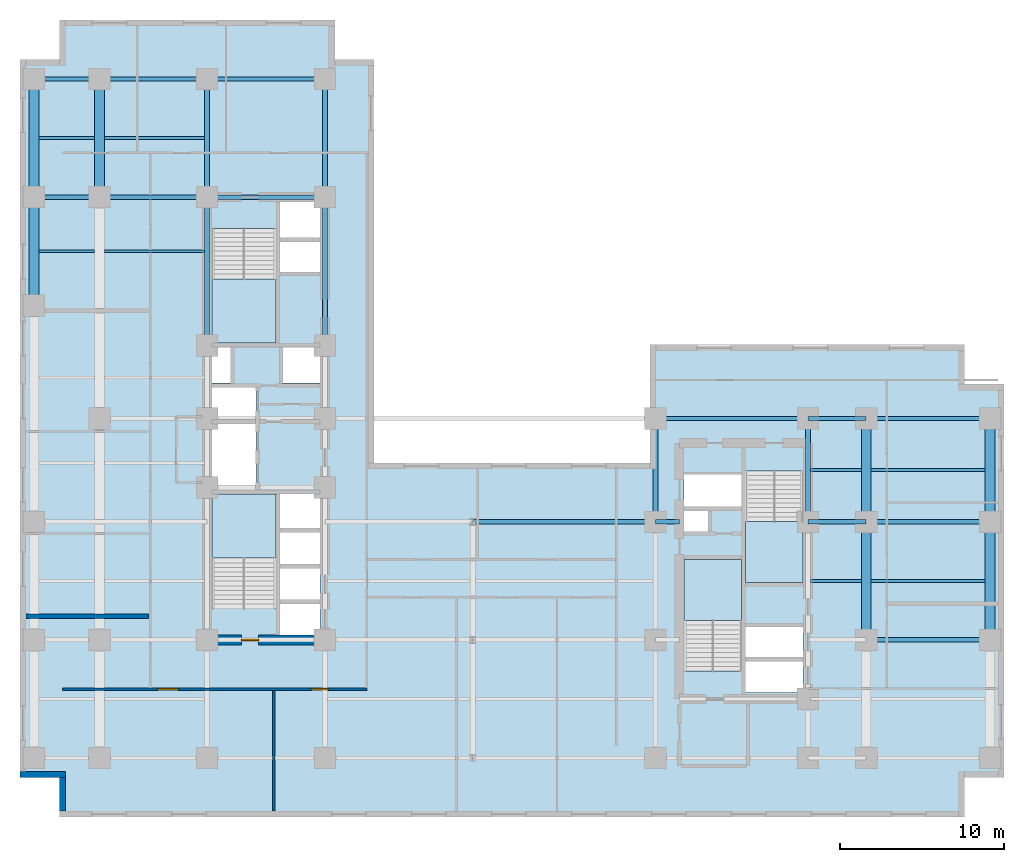
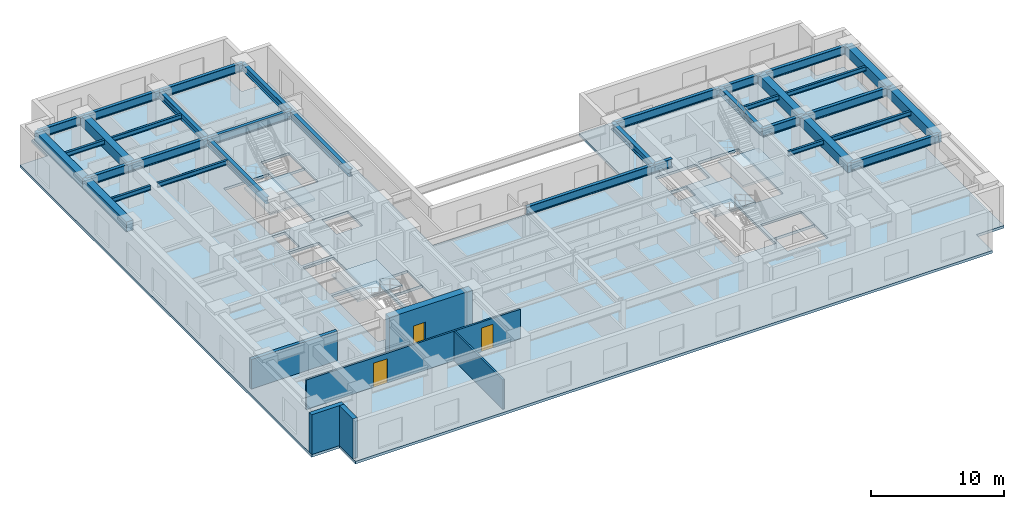
# One storey, part 2 of 9: 35 beams, 6 walls, 5 slabs, 3 doors, 3 openings, 4 elements without a shape of their own.
"""IFC4 building model written with IfcOpenShell, lengths in metres."""

from ifc_helpers import new_model, entity, si_unit, converted_unit, direction, frame, origin_with_axes, origin_2d_with_axis, place, context, subcontext, project, spatial, polyline, rectangle, i_section, outline, extrude, material, layer, layer_set, material_profile, profile_set, type_object, element, fill, aggregate, save


model = new_model("IFC4")

# Units and contexts
model_context = context("Model", 3, precision=1e-05, world=origin_with_axes(), true_north=direction((0.0, 1.0)))
body_context = subcontext(model_context, "Body", "Model", "MODEL_VIEW")
ifc_project = project(units=[si_unit("LENGTHUNIT", "METRE"), si_unit("AREAUNIT", "SQUARE_METRE"), si_unit("VOLUMEUNIT", "CUBIC_METRE"), converted_unit("PLANEANGLEUNIT", "DEGREE", entity("IfcPlaneAngleMeasure", 0.017453292519943295), si_unit("PLANEANGLEUNIT", "RADIAN"), dimensions=[0, 0, 0, 0, 0, 0, 0]), si_unit("MASSUNIT", "GRAM", prefix="KILO"), si_unit("THERMODYNAMICTEMPERATUREUNIT", "KELVIN")], contexts=[model_context])

# Site, building, storey
site_placement = place(None, origin_with_axes())
site = spatial("IfcSite", under=ifc_project, at=site_placement, CompositionType="ELEMENT")
building_placement = place(site_placement, origin_with_axes())
building = spatial("IfcBuilding", under=site, at=building_placement, Name="Varnlund Millrace Tower", CompositionType="ELEMENT")
storey_placement = place(building_placement, frame((0.0, 0.0, 52.2), z_axis=(0.0, 0.0, 1.0), x_axis=(1.0, 0.0, 0.0)))
storey = spatial("IfcBuildingStorey", under=building, at=storey_placement, Name="L12", CompositionType="ELEMENT", Elevation=52.2)

# Beams
ifc_material_1 = material(Name="Steel ASTM A992 Grade 50", Category="steel")
ifc_material_profile_1 = material_profile(ifc_material_1, i_section(OverallWidth=0.328, OverallDepth=0.628, WebThickness=0.0165, FlangeThickness=0.0277, FilletRadius=0.018, at=origin_2d_with_axis()), Name="Steel ASTM A992 Grade 50")
ifc_profile_set_1 = profile_set([ifc_material_profile_1], Name="Steel ASTM A992 Grade 50")
beam_type_1 = type_object("IfcBeamType", Name="Type-Girder-W24X146", PredefinedType="USERDEFINED", material=ifc_profile_set_1)
beam_1_placement = place(storey_placement, frame((11.4, 28.75, 3.346), z_axis=(0.0, 1.0, 0.0), x_axis=(-1.0, 0.0, 0.0)))
element("IfcBeam", 1, at=beam_1_placement, inside=storey, type_object=beam_type_1, Name="Type-Girder-W24X146", ObjectType="GIRDER", PredefinedType="USERDEFINED", context=body_context, shape_type="SweptSolid", body=[
    extrude(i_section(OverallWidth=0.328, OverallDepth=0.628, WebThickness=0.0165, FlangeThickness=0.0277, FilletRadius=0.018, at=origin_2d_with_axis()), origin_with_axes(), (0.0, 0.0, 1.0), 9.05),
])
beam_2_placement = place(storey_placement, frame((11.4, 37.8, 3.346), z_axis=(0.0, 1.0, 0.0), x_axis=(-1.0, 0.0, 0.0)))
element("IfcBeam", 2, at=beam_2_placement, inside=storey, type_object=beam_type_1, Name="Type-Girder-W24X146", ObjectType="GIRDER", PredefinedType="USERDEFINED", context=body_context, shape_type="SweptSolid", body=[
    extrude(i_section(OverallWidth=0.328, OverallDepth=0.628, WebThickness=0.0165, FlangeThickness=0.0277, FilletRadius=0.018, at=origin_2d_with_axis()), origin_with_axes(), (0.0, 0.0, 1.0), 7.2),
])
beam_3_placement = place(storey_placement, frame((18.6, 28.75, 3.346), z_axis=(0.0, 1.0, 0.0), x_axis=(-1.0, 0.0, 0.0)))
element("IfcBeam", 3, at=beam_3_placement, inside=storey, type_object=beam_type_1, Name="Type-Girder-W24X146", ObjectType="GIRDER", PredefinedType="USERDEFINED", context=body_context, shape_type="SweptSolid", body=[
    extrude(i_section(OverallWidth=0.328, OverallDepth=0.628, WebThickness=0.0165, FlangeThickness=0.0277, FilletRadius=0.018, at=origin_2d_with_axis()), origin_with_axes(), (0.0, 0.0, 1.0), 9.05),
])
beam_4_placement = place(storey_placement, frame((18.6, 37.8, 3.346), z_axis=(0.0, 1.0, 0.0), x_axis=(-1.0, 0.0, 0.0)))
element("IfcBeam", 4, at=beam_4_placement, inside=storey, type_object=beam_type_1, Name="Type-Girder-W24X146", ObjectType="GIRDER", PredefinedType="USERDEFINED", context=body_context, shape_type="SweptSolid", body=[
    extrude(i_section(OverallWidth=0.328, OverallDepth=0.628, WebThickness=0.0165, FlangeThickness=0.0277, FilletRadius=0.018, at=origin_2d_with_axis()), origin_with_axes(), (0.0, 0.0, 1.0), 7.2),
])
for number, where, z_axis, x_axis, name in (
    (5, (38.75, 18.0, 3.346), (0.0, 1.0, 0.0), (-1.0, 0.0, 0.0), "Type-Girder-W24X146"),
    (6, (48.05, 18.0, 3.346), (0.0, 1.0, 0.0), (-1.0, 0.0, 0.0), "Type-Girder-W24X146"),
):
    element("IfcBeam", number, at=place(storey_placement, frame(where, z_axis=z_axis, x_axis=x_axis)), inside=storey, type_object=beam_type_1, Name=name, ObjectType="GIRDER", PredefinedType="USERDEFINED", context=body_context, shape_type="SweptSolid", body=[
        extrude(i_section(OverallWidth=0.328, OverallDepth=0.628, WebThickness=0.0165, FlangeThickness=0.0277, FilletRadius=0.018, at=origin_2d_with_axis()), origin_with_axes(), (0.0, 0.0, 1.0), 6.3),
    ])
ifc_material_profile_2 = material_profile(ifc_material_1, i_section(OverallWidth=0.266, OverallDepth=0.779, WebThickness=0.0165, FlangeThickness=0.03, FilletRadius=0.02, at=origin_2d_with_axis()), Name="Steel ASTM A992 Grade 50")
ifc_profile_set_2 = profile_set([ifc_material_profile_2], Name="Steel ASTM A992 Grade 50")
beam_type_2 = type_object("IfcBeamType", Name="Type-Girder-W30X148", PredefinedType="USERDEFINED", material=ifc_profile_set_2)
beam_5_placement = place(storey_placement, frame((51.6, 10.8, 3.2705), z_axis=(1.0, 0.0, 0.0), x_axis=(0.0, 1.0, 0.0)))
element("IfcBeam", 7, at=beam_5_placement, inside=storey, type_object=beam_type_2, Name="Type-Girder-W30X148", ObjectType="GIRDER", PredefinedType="USERDEFINED", context=body_context, shape_type="SweptSolid", body=[
    extrude(i_section(OverallWidth=0.266, OverallDepth=0.779, WebThickness=0.0165, FlangeThickness=0.03, FilletRadius=0.02, at=origin_2d_with_axis()), origin_with_axes(), (0.0, 0.0, 1.0), 7.55),
])
beam_6_placement = place(storey_placement, frame((27.6, 18.0, 3.2705), z_axis=(1.0, 0.0, 0.0), x_axis=(0.0, 1.0, 0.0)))
element("IfcBeam", 8, at=beam_6_placement, inside=storey, type_object=beam_type_2, Name="Type-Girder-W30X148", ObjectType="GIRDER", PredefinedType="USERDEFINED", context=body_context, shape_type="SweptSolid", body=[
    extrude(i_section(OverallWidth=0.266, OverallDepth=0.779, WebThickness=0.0165, FlangeThickness=0.03, FilletRadius=0.02, at=origin_2d_with_axis()), origin_with_axes(), (0.0, 0.0, 1.0), 11.15),
])
beam_7_placement = place(storey_placement, frame((38.75, 18.0, 3.2705), z_axis=(1.0, 0.0, 0.0), x_axis=(0.0, 1.0, 0.0)))
element("IfcBeam", 9, at=beam_7_placement, inside=storey, type_object=beam_type_2, Name="Type-Girder-W30X148", ObjectType="GIRDER", PredefinedType="USERDEFINED", context=body_context, shape_type="SweptSolid", body=[
    extrude(i_section(OverallWidth=0.266, OverallDepth=0.779, WebThickness=0.0165, FlangeThickness=0.03, FilletRadius=0.02, at=origin_2d_with_axis()), origin_with_axes(), (0.0, 0.0, 1.0), 1.45),
])
beam_8_placement = place(storey_placement, frame((48.05, 18.0, 3.2705), z_axis=(1.0, 0.0, 0.0), x_axis=(0.0, 1.0, 0.0)))
element("IfcBeam", 10, at=beam_8_placement, inside=storey, type_object=beam_type_2, Name="Type-Girder-W30X148", ObjectType="GIRDER", PredefinedType="USERDEFINED", context=body_context, shape_type="SweptSolid", body=[
    extrude(i_section(OverallWidth=0.266, OverallDepth=0.779, WebThickness=0.0165, FlangeThickness=0.03, FilletRadius=0.02, at=origin_2d_with_axis()), origin_with_axes(), (0.0, 0.0, 1.0), 3.55),
])
beam_9_placement = place(storey_placement, frame((51.6, 18.0, 3.2705), z_axis=(1.0, 0.0, 0.0), x_axis=(0.0, 1.0, 0.0)))
element("IfcBeam", 11, at=beam_9_placement, inside=storey, type_object=beam_type_2, Name="Type-Girder-W30X148", ObjectType="GIRDER", PredefinedType="USERDEFINED", context=body_context, shape_type="SweptSolid", body=[
    extrude(i_section(OverallWidth=0.266, OverallDepth=0.779, WebThickness=0.0165, FlangeThickness=0.03, FilletRadius=0.02, at=origin_2d_with_axis()), origin_with_axes(), (0.0, 0.0, 1.0), 7.55),
])
beam_10_placement = place(storey_placement, frame((38.75, 24.3, 3.2705), z_axis=(1.0, 0.0, 0.0), x_axis=(0.0, 1.0, 0.0)))
element("IfcBeam", 12, at=beam_10_placement, inside=storey, type_object=beam_type_2, Name="Type-Girder-W30X148", ObjectType="GIRDER", PredefinedType="USERDEFINED", context=body_context, shape_type="SweptSolid", body=[
    extrude(i_section(OverallWidth=0.266, OverallDepth=0.779, WebThickness=0.0165, FlangeThickness=0.03, FilletRadius=0.02, at=origin_2d_with_axis()), origin_with_axes(), (0.0, 0.0, 1.0), 9.3),
])
beam_11_placement = place(storey_placement, frame((48.05, 24.3, 3.2705), z_axis=(1.0, 0.0, 0.0), x_axis=(0.0, 1.0, 0.0)))
element("IfcBeam", 13, at=beam_11_placement, inside=storey, type_object=beam_type_2, Name="Type-Girder-W30X148", ObjectType="GIRDER", PredefinedType="USERDEFINED", context=body_context, shape_type="SweptSolid", body=[
    extrude(i_section(OverallWidth=0.266, OverallDepth=0.779, WebThickness=0.0165, FlangeThickness=0.03, FilletRadius=0.02, at=origin_2d_with_axis()), origin_with_axes(), (0.0, 0.0, 1.0), 3.55),
])
beam_12_placement = place(storey_placement, frame((51.6, 24.3, 3.2705), z_axis=(1.0, 0.0, 0.0), x_axis=(0.0, 1.0, 0.0)))
element("IfcBeam", 14, at=beam_12_placement, inside=storey, type_object=beam_type_2, Name="Type-Girder-W30X148", ObjectType="GIRDER", PredefinedType="USERDEFINED", context=body_context, shape_type="SweptSolid", body=[
    extrude(i_section(OverallWidth=0.266, OverallDepth=0.779, WebThickness=0.0165, FlangeThickness=0.03, FilletRadius=0.02, at=origin_2d_with_axis()), origin_with_axes(), (0.0, 0.0, 1.0), 7.55),
])
beam_13_placement = place(storey_placement, frame((0.85, 37.8, 3.2705), z_axis=(1.0, 0.0, 0.0), x_axis=(0.0, 1.0, 0.0)))
element("IfcBeam", 15, at=beam_13_placement, inside=storey, type_object=beam_type_2, Name="Type-Girder-W30X148", ObjectType="GIRDER", PredefinedType="USERDEFINED", context=body_context, shape_type="SweptSolid", body=[
    extrude(i_section(OverallWidth=0.266, OverallDepth=0.779, WebThickness=0.0165, FlangeThickness=0.03, FilletRadius=0.02, at=origin_2d_with_axis()), origin_with_axes(), (0.0, 0.0, 1.0), 4.0),
])
beam_14_placement = place(storey_placement, frame((4.85, 37.8, 3.2705), z_axis=(1.0, 0.0, 0.0), x_axis=(0.0, 1.0, 0.0)))
element("IfcBeam", 16, at=beam_14_placement, inside=storey, type_object=beam_type_2, Name="Type-Girder-W30X148", ObjectType="GIRDER", PredefinedType="USERDEFINED", context=body_context, shape_type="SweptSolid", body=[
    extrude(i_section(OverallWidth=0.266, OverallDepth=0.779, WebThickness=0.0165, FlangeThickness=0.03, FilletRadius=0.02, at=origin_2d_with_axis()), origin_with_axes(), (0.0, 0.0, 1.0), 6.55),
])
beam_15_placement = place(storey_placement, frame((11.4, 37.8, 3.2705), z_axis=(1.0, 0.0, 0.0), x_axis=(0.0, 1.0, 0.0)))
element("IfcBeam", 17, at=beam_15_placement, inside=storey, type_object=beam_type_2, Name="Type-Girder-W30X148", ObjectType="GIRDER", PredefinedType="USERDEFINED", context=body_context, shape_type="SweptSolid", body=[
    extrude(i_section(OverallWidth=0.266, OverallDepth=0.779, WebThickness=0.0165, FlangeThickness=0.03, FilletRadius=0.02, at=origin_2d_with_axis()), origin_with_axes(), (0.0, 0.0, 1.0), 7.2),
])
beam_16_placement = place(storey_placement, frame((0.85, 45.0, 3.2705), z_axis=(1.0, 0.0, 0.0), x_axis=(0.0, 1.0, 0.0)))
element("IfcBeam", 18, at=beam_16_placement, inside=storey, type_object=beam_type_2, Name="Type-Girder-W30X148", ObjectType="GIRDER", PredefinedType="USERDEFINED", context=body_context, shape_type="SweptSolid", body=[
    extrude(i_section(OverallWidth=0.266, OverallDepth=0.779, WebThickness=0.0165, FlangeThickness=0.03, FilletRadius=0.02, at=origin_2d_with_axis()), origin_with_axes(), (0.0, 0.0, 1.0), 4.0),
])
beam_17_placement = place(storey_placement, frame((4.85, 45.0, 3.2705), z_axis=(1.0, 0.0, 0.0), x_axis=(0.0, 1.0, 0.0)))
element("IfcBeam", 19, at=beam_17_placement, inside=storey, type_object=beam_type_2, Name="Type-Girder-W30X148", ObjectType="GIRDER", PredefinedType="USERDEFINED", context=body_context, shape_type="SweptSolid", body=[
    extrude(i_section(OverallWidth=0.266, OverallDepth=0.779, WebThickness=0.0165, FlangeThickness=0.03, FilletRadius=0.02, at=origin_2d_with_axis()), origin_with_axes(), (0.0, 0.0, 1.0), 6.55),
])
beam_18_placement = place(storey_placement, frame((11.4, 45.0, 3.2705), z_axis=(1.0, 0.0, 0.0), x_axis=(0.0, 1.0, 0.0)))
element("IfcBeam", 20, at=beam_18_placement, inside=storey, type_object=beam_type_2, Name="Type-Girder-W30X148", ObjectType="GIRDER", PredefinedType="USERDEFINED", context=body_context, shape_type="SweptSolid", body=[
    extrude(i_section(OverallWidth=0.266, OverallDepth=0.779, WebThickness=0.0165, FlangeThickness=0.03, FilletRadius=0.02, at=origin_2d_with_axis()), origin_with_axes(), (0.0, 0.0, 1.0), 7.2),
])
ifc_material_profile_3 = material_profile(ifc_material_1, i_section(OverallWidth=0.181, OverallDepth=0.417, WebThickness=0.0109, FlangeThickness=0.0182, FilletRadius=0.013, at=origin_2d_with_axis()), Name="Steel ASTM A992 Grade 50")
ifc_profile_set_3 = profile_set([ifc_material_profile_3], Name="Steel ASTM A992 Grade 50")
beam_type_3 = type_object("IfcBeamType", Name="Type-Joist-W16X57", PredefinedType="JOIST", material=ifc_profile_set_3)
for number, where, z_axis, x_axis, name in (
    (21, (1.15, 34.5, 3.4515), (1.0, 0.0, 0.0), (0.0, 1.0, 0.0), "Type-Joist-W16X57"),
    (22, (1.15, 41.4, 3.4515), (1.0, 0.0, 0.0), (0.0, 1.0, 0.0), "Type-Joist-W16X57"),
):
    element("IfcBeam", number, at=place(storey_placement, frame(where, z_axis=z_axis, x_axis=x_axis)), inside=storey, type_object=beam_type_3, Name=name, PredefinedType="JOIST", context=body_context, shape_type="SweptSolid", body=[
        extrude(i_section(OverallWidth=0.181, OverallDepth=0.417, WebThickness=0.0109, FlangeThickness=0.0182, FilletRadius=0.013, at=origin_2d_with_axis()), origin_with_axes(), (0.0, 0.0, 1.0), 3.4),
    ])
for number, where, z_axis, x_axis, name in (
    (23, (5.15, 34.5, 3.4515), (1.0, 0.0, 0.0), (0.0, 1.0, 0.0), "Type-Joist-W16X57"),
    (24, (5.15, 41.4, 3.4515), (1.0, 0.0, 0.0), (0.0, 1.0, 0.0), "Type-Joist-W16X57"),
):
    element("IfcBeam", number, at=place(storey_placement, frame(where, z_axis=z_axis, x_axis=x_axis)), inside=storey, type_object=beam_type_3, Name=name, PredefinedType="JOIST", context=body_context, shape_type="SweptSolid", body=[
        extrude(i_section(OverallWidth=0.181, OverallDepth=0.417, WebThickness=0.0109, FlangeThickness=0.0182, FilletRadius=0.013, at=origin_2d_with_axis()), origin_with_axes(), (0.0, 0.0, 1.0), 6.086),
    ])
for number, where, z_axis, x_axis, name in (
    (25, (48.214, 14.4, 3.4515), (1.0, 0.0, 0.0), (0.0, 1.0, 0.0), "Type-Joist-W16X57"),
    (26, (48.214, 21.15, 3.4515), (1.0, 0.0, 0.0), (0.0, 1.0, 0.0), "Type-Joist-W16X57"),
):
    element("IfcBeam", number, at=place(storey_placement, frame(where, z_axis=z_axis, x_axis=x_axis)), inside=storey, type_object=beam_type_3, Name=name, PredefinedType="JOIST", context=body_context, shape_type="SweptSolid", body=[
        extrude(i_section(OverallWidth=0.181, OverallDepth=0.417, WebThickness=0.0109, FlangeThickness=0.0182, FilletRadius=0.013, at=origin_2d_with_axis()), origin_with_axes(), (0.0, 0.0, 1.0), 3.086),
    ])
for number, where, z_axis, x_axis, name in (
    (27, (51.9, 14.4, 3.4515), (1.0, 0.0, 0.0), (0.0, 1.0, 0.0), "Type-Joist-W16X57"),
    (28, (51.9, 21.15, 3.4515), (1.0, 0.0, 0.0), (0.0, 1.0, 0.0), "Type-Joist-W16X57"),
):
    element("IfcBeam", number, at=place(storey_placement, frame(where, z_axis=z_axis, x_axis=x_axis)), inside=storey, type_object=beam_type_3, Name=name, PredefinedType="JOIST", context=body_context, shape_type="SweptSolid", body=[
        extrude(i_section(OverallWidth=0.181, OverallDepth=0.417, WebThickness=0.0109, FlangeThickness=0.0182, FilletRadius=0.013, at=origin_2d_with_axis()), origin_with_axes(), (0.0, 0.0, 1.0), 6.95),
    ])
ifc_material_2 = material(Name="Concrete C70/85", Category="concrete")
ifc_material_profile_4 = material_profile(ifc_material_2, rectangle(XDim=0.6, YDim=0.9, at=origin_2d_with_axis()), Name="Concrete C70/85")
ifc_profile_set_4 = profile_set([ifc_material_profile_4], Name="Concrete C70/85")
beam_type_4 = type_object("IfcBeamType", Name="Type-Spandrel-RC600X900", PredefinedType="SPANDREL", material=ifc_profile_set_4)
beam_19_placement = place(storey_placement, frame((0.85, 31.2, 3.21), z_axis=(0.0, 1.0, 0.0), x_axis=(-1.0, 0.0, 0.0)))
element("IfcBeam", 29, at=beam_19_placement, inside=storey, type_object=beam_type_4, Name="Type-Spandrel-RC600X900", PredefinedType="SPANDREL", context=body_context, shape_type="SweptSolid", body=[
    extrude(rectangle(XDim=0.6, YDim=0.9, at=origin_2d_with_axis()), origin_with_axes(), (0.0, 0.0, 1.0), 6.6),
])
for number, where, z_axis, x_axis, name in (
    (30, (0.85, 37.8, 3.21), (0.0, 1.0, 0.0), (-1.0, 0.0, 0.0), "Type-Spandrel-RC600X900"),
    (31, (4.85, 37.8, 3.21), (0.0, 1.0, 0.0), (-1.0, 0.0, 0.0), "Type-Spandrel-RC600X900"),
    (32, (51.6, 10.8, 3.21), (0.0, 1.0, 0.0), (-1.0, 0.0, 0.0), "Type-Spandrel-RC600X900"),
):
    element("IfcBeam", number, at=place(storey_placement, frame(where, z_axis=z_axis, x_axis=x_axis)), inside=storey, type_object=beam_type_4, Name=name, PredefinedType="SPANDREL", context=body_context, shape_type="SweptSolid", body=[
        extrude(rectangle(XDim=0.6, YDim=0.9, at=origin_2d_with_axis()), origin_with_axes(), (0.0, 0.0, 1.0), 7.2),
    ])
beam_20_placement = place(storey_placement, frame((51.6, 18.0, 3.21), z_axis=(0.0, 1.0, 0.0), x_axis=(-1.0, 0.0, 0.0)))
element("IfcBeam", 33, at=beam_20_placement, inside=storey, type_object=beam_type_4, Name="Type-Spandrel-RC600X900", PredefinedType="SPANDREL", context=body_context, shape_type="SweptSolid", body=[
    extrude(rectangle(XDim=0.6, YDim=0.9, at=origin_2d_with_axis()), origin_with_axes(), (0.0, 0.0, 1.0), 6.3),
])
beam_21_placement = place(storey_placement, frame((59.15, 10.8, 3.21), z_axis=(0.0, 1.0, 0.0), x_axis=(-1.0, 0.0, 0.0)))
element("IfcBeam", 34, at=beam_21_placement, inside=storey, type_object=beam_type_4, Name="Type-Spandrel-RC600X900", PredefinedType="SPANDREL", context=body_context, shape_type="SweptSolid", body=[
    extrude(rectangle(XDim=0.6, YDim=0.9, at=origin_2d_with_axis()), origin_with_axes(), (0.0, 0.0, 1.0), 7.2),
])
beam_22_placement = place(storey_placement, frame((59.15, 18.0, 3.21), z_axis=(0.0, 1.0, 0.0), x_axis=(-1.0, 0.0, 0.0)))
element("IfcBeam", 35, at=beam_22_placement, inside=storey, type_object=beam_type_4, Name="Type-Spandrel-RC600X900", PredefinedType="SPANDREL", context=body_context, shape_type="SweptSolid", body=[
    extrude(rectangle(XDim=0.6, YDim=0.9, at=origin_2d_with_axis()), origin_with_axes(), (0.0, 0.0, 1.0), 6.3),
])

# Slab
ifc_material_3 = material(Name="Concrete C60/75", Category="concrete")
ifc_layer_1 = layer(ifc_material_3, 0.24, Name="Concrete C60/75")
ifc_layer_set_1 = layer_set([ifc_layer_1], Name="Concrete C60/75")
slab_type_1 = type_object("IfcSlabType", Name="Type-Deck-Plate-Typical-240", PredefinedType="FLOOR", material=ifc_layer_set_1)
slab_1_placement = place(storey_placement, frame((0.0, 0.0, -0.24), z_axis=(0.0, 0.0, 1.0), x_axis=(1.0, 0.0, 0.0)))
element("IfcSlab", 36, at=slab_1_placement, inside=storey, type_object=slab_type_1, Name="Type-Deck-Plate-Typical-240", PredefinedType="FLOOR", context=body_context, shape_type="SweptSolid", body=[
    extrude(outline(polyline([(21.6, 21.6), (21.6, 46.2), (19.2, 46.2), (19.2, 48.6), (2.4, 48.6), (2.4, 46.2), (0.0, 46.2), (0.0, 2.4), (2.4, 2.4), (2.4, 0.0), (57.6, 0.0), (57.6, 2.4), (60.0, 2.4), (60.0, 26.4), (57.6, 26.4), (57.6, 28.8), (38.4, 28.8), (38.4, 21.6), (21.6, 21.6)]), holes=[polyline([(18.3, 11.1), (15.84, 11.1), (15.84, 13.1), (18.3, 13.1), (18.3, 11.1)]), polyline([(18.3, 13.16), (15.84, 13.16), (15.84, 15.24), (18.3, 15.24), (18.3, 13.16)]), polyline([(15.6, 12.715), (11.7, 12.715), (11.7, 19.7), (15.6, 19.7), (15.6, 12.715)]), polyline([(18.3, 15.34), (15.84, 15.34), (15.84, 17.46), (18.3, 17.46), (18.3, 15.34)]), polyline([(18.3, 17.52), (15.84, 17.52), (15.84, 19.7), (18.3, 19.7), (18.3, 17.52)]), polyline([(14.38, 23.98), (14.38, 19.94), (11.7, 19.94), (11.7, 23.98), (14.38, 23.98)]), polyline([(11.7, 24.24), (11.7, 26.2), (14.38, 26.2), (14.38, 24.24), (11.7, 24.24)]), polyline([(11.7, 26.46), (11.7, 28.65), (12.84, 28.65), (12.84, 26.46), (11.7, 26.46)]), polyline([(15.6, 28.9), (11.7, 28.9), (11.7, 35.885), (15.6, 35.885), (15.6, 28.9)]), polyline([(47.75, 7.6), (44.25, 7.6), (44.25, 9.6), (47.75, 9.6), (47.75, 7.6)]), polyline([(47.75, 9.66), (44.25, 9.66), (44.25, 11.68), (47.75, 11.68), (47.75, 9.66)]), polyline([(40.5, 8.915), (40.5, 15.7), (44.0, 15.7), (44.0, 8.915), (40.5, 8.915)]), polyline([(44.25, 14.3), (44.25, 21.085), (47.75, 21.085), (47.75, 14.3), (44.25, 14.3)]), polyline([(41.95, 17.42), (40.5, 17.42), (40.5, 18.72), (41.95, 18.72), (41.95, 17.42)]), polyline([(44.0, 18.88), (40.5, 18.88), (40.5, 20.94), (44.0, 20.94), (44.0, 18.88)]), polyline([(18.3, 26.46), (16.04, 26.46), (16.04, 28.65), (18.3, 28.65), (18.3, 26.46)]), polyline([(15.84, 33.12), (15.84, 35.18), (18.3, 35.18), (18.3, 33.12), (15.84, 33.12)]), polyline([(15.84, 35.22), (15.84, 37.5), (18.3, 37.5), (18.3, 35.22), (15.84, 35.22)])]), origin_with_axes(), (0.0, 0.0, 1.0), 0.24),
])

# Stair, slab
ifc_material_4 = material(Name="Concrete C50/60", Category="concrete")
stair_type_1 = type_object("IfcStairType", Name="Type-Stair-Dogleg-185-390", PredefinedType="HALF_TURN_STAIR", material=ifc_material_4)
stair_1_placement = place(storey_placement, origin_with_axes())
stair_1 = element("IfcStair", 37, at=stair_1_placement, inside=storey, type_object=stair_type_1, Name="Type-Stair-Dogleg-185-390", PredefinedType="HALF_TURN_STAIR")
ifc_layer_2 = layer(ifc_material_4, 0.2, Name="Concrete C50/60")
ifc_layer_set_2 = layer_set([ifc_layer_2], Name="Concrete C50/60")
slab_type_2 = type_object("IfcSlabType", Name="Type-StairLanding-200", PredefinedType="LANDING", material=ifc_layer_set_2)
slab_2_placement = place(storey_placement, frame((0.0, 0.0, 1.75), z_axis=(0.0, 0.0, 1.0), x_axis=(1.0, 0.0, 0.0)))
slab_2 = element("IfcSlab", 38, at=slab_2_placement, type_object=slab_type_2, Name="ST-A1 landing 1", PredefinedType="LANDING", context=body_context, shape_type="SweptSolid", body=[
    extrude(outline(polyline([(15.6, 15.78), (15.6, 19.7), (11.7, 19.7), (11.7, 15.78), (15.6, 15.78)])), origin_with_axes(), (0.0, 0.0, 1.0), 0.2),
])
aggregate(stair_1, [slab_2])

stair_2_placement = place(storey_placement, origin_with_axes())
stair_2 = element("IfcStair", 39, at=stair_2_placement, inside=storey, type_object=stair_type_1, Name="Type-Stair-Dogleg-185-390", PredefinedType="HALF_TURN_STAIR")
slab_3_placement = place(storey_placement, frame((0.0, 0.0, 1.75), z_axis=(0.0, 0.0, 1.0), x_axis=(1.0, 0.0, 0.0)))
slab_3 = element("IfcSlab", 40, at=slab_3_placement, type_object=slab_type_2, Name="ST-A2 landing 1", PredefinedType="LANDING", context=body_context, shape_type="SweptSolid", body=[
    extrude(outline(polyline([(11.7, 32.82), (11.7, 28.9), (15.6, 28.9), (15.6, 32.82), (11.7, 32.82)])), origin_with_axes(), (0.0, 0.0, 1.0), 0.2),
])
aggregate(stair_2, [slab_3])

stair_type_2 = type_object("IfcStairType", Name="Type-Stair-Dogleg-165-390", PredefinedType="HALF_TURN_STAIR", material=ifc_material_4)
stair_3_placement = place(storey_placement, origin_with_axes())
stair_3 = element("IfcStair", 41, at=stair_3_placement, inside=storey, type_object=stair_type_2, Name="Type-Stair-Dogleg-165-390", PredefinedType="HALF_TURN_STAIR")
slab_4_placement = place(storey_placement, frame((0.0, 0.0, 1.75), z_axis=(0.0, 0.0, 1.0), x_axis=(1.0, 0.0, 0.0)))
slab_4 = element("IfcSlab", 42, at=slab_4_placement, type_object=slab_type_2, Name="ST-B1 landing 1", PredefinedType="LANDING", context=body_context, shape_type="SweptSolid", body=[
    extrude(outline(polyline([(44.0, 11.98), (44.0, 15.7), (40.5, 15.7), (40.5, 11.98), (44.0, 11.98)])), origin_with_axes(), (0.0, 0.0, 1.0), 0.2),
])
aggregate(stair_3, [slab_4])

stair_4_placement = place(storey_placement, origin_with_axes())
stair_4 = element("IfcStair", 43, at=stair_4_placement, inside=storey, type_object=stair_type_2, Name="Type-Stair-Dogleg-165-390", PredefinedType="HALF_TURN_STAIR")
slab_5_placement = place(storey_placement, frame((0.0, 0.0, 1.75), z_axis=(0.0, 0.0, 1.0), x_axis=(1.0, 0.0, 0.0)))
slab_5 = element("IfcSlab", 44, at=slab_5_placement, type_object=slab_type_2, Name="ST-B2 landing 1", PredefinedType="LANDING", context=body_context, shape_type="SweptSolid", body=[
    extrude(outline(polyline([(44.25, 18.02), (44.25, 14.3), (47.75, 14.3), (47.75, 18.02), (44.25, 18.02)])), origin_with_axes(), (0.0, 0.0, 1.0), 0.2),
])
aggregate(stair_4, [slab_5])

# Wall, opening, door
ifc_material_5 = material(Name="Concrete C80/95", Category="concrete")
ifc_layer_3 = layer(ifc_material_5, 0.6, Name="Concrete C80/95")
ifc_layer_set_3 = layer_set([ifc_layer_3], Name="Concrete C80/95")
wall_type_1 = type_object("IfcWallType", Name="Type-CoreWall-Shear-600-C80", PredefinedType="SHEAR", material=ifc_layer_set_3)
wall_1_placement = place(storey_placement, frame((11.4, 10.8, 0.0), z_axis=(0.0, 0.0, 1.0), x_axis=(1.0, 0.0, 0.0)))
wall_1 = element("IfcWall", 45, at=wall_1_placement, inside=storey, type_object=wall_type_1, Name="Type-CoreWall-Shear-600-C80", PredefinedType="SHEAR", context=body_context, shape_type="SweptSolid", body=[
    extrude(outline(polyline([(0.0, -0.3), (7.2, -0.3), (7.2, 0.3), (0.0, 0.3), (0.0, -0.3)])), origin_with_axes(), (0.0, 0.0, 1.0), 3.66),
])
opening_1_placement = place(wall_1_placement, frame((2.625, 0.0, 0.0), z_axis=(0.0, 0.0, 1.0), x_axis=(1.0, 0.0, 0.0)))
opening_1 = element("IfcOpeningElement", 46, at=opening_1_placement, cuts=wall_1, Name="Opening L12:DR-STA1", PredefinedType="OPENING", context=body_context, shape_type="SweptSolid", body=[
    extrude(rectangle(XDim=1.05, YDim=0.62, at=origin_2d_with_axis()), origin_with_axes(), (0.0, 0.0, 1.0), 2.15),
])
ifc_material_6 = material(Name="Fire-rated hollow steel door", Category="steel")
door_type_1 = type_object("IfcDoorType", Name="Type-FireDoor-Stair-1050X2150", OperationType="NOTDEFINED", PredefinedType="DOOR", material=ifc_material_6)
door_1_placement = place(wall_1_placement, frame((2.625, 0.0, 0.0), z_axis=(0.0, 0.0, 1.0), x_axis=(1.0, 0.0, 0.0)))
door_1 = element("IfcDoor", 47, at=door_1_placement, inside=storey, type_object=door_type_1, Name="Type-FireDoor-Stair-1050X2150", OperationType="SINGLE_SWING_LEFT", OverallHeight=2.15, OverallWidth=1.05, PredefinedType="DOOR", context=body_context, shape_type="SweptSolid", body=[
    extrude(rectangle(XDim=1.05, YDim=0.09, at=origin_2d_with_axis()), origin_with_axes(), (0.0, 0.0, 1.0), 2.15),
])
fill(opening_1, door_1)

# Walls
ifc_material_7 = material(Name="Precast concrete C50/60", Category="concrete")
ifc_layer_4 = layer(ifc_material_7, 0.38, Name="Precast concrete C50/60")
ifc_layer_set_4 = layer_set([ifc_layer_4], Name="Precast concrete C50/60")
wall_type_2 = type_object("IfcWallType", Name="Type-ExtWall-Precast-Tube-380", PredefinedType="SOLIDWALL", material=ifc_layer_set_4)
wall_2_placement = place(storey_placement, frame((2.59, 0.38, 0.0), z_axis=(0.0, 0.0, 1.0), x_axis=(0.0, 1.0, 0.0)))
element("IfcWall", 48, at=wall_2_placement, inside=storey, type_object=wall_type_2, Name="Type-ExtWall-Precast-Tube-380", PredefinedType="SOLIDWALL", context=body_context, shape_type="SweptSolid", body=[
    extrude(outline(polyline([(0.0, -0.19), (2.02, -0.19), (2.02, 0.19), (0.0, 0.19), (0.0, -0.19)])), origin_with_axes(), (0.0, 0.0, 1.0), 3.66),
])
wall_3_placement = place(storey_placement, frame((2.78, 2.59, 0.0), z_axis=(0.0, 0.0, 1.0), x_axis=(-1.0, 0.0, 0.0)))
element("IfcWall", 49, at=wall_3_placement, inside=storey, type_object=wall_type_2, Name="Type-ExtWall-Precast-Tube-380", PredefinedType="SOLIDWALL", context=body_context, shape_type="SweptSolid", body=[
    extrude(outline(polyline([(0.0, -0.19), (2.78, -0.19), (2.78, 0.19), (0.0, 0.19), (0.0, -0.19)])), origin_with_axes(), (0.0, 0.0, 1.0), 3.66),
])
ifc_material_8 = material(Name="Double-stud STC-60 conference acoustic partition", Category="gypsum")
ifc_layer_5 = layer(ifc_material_8, 0.28, Name="Double-stud STC-60 conference acoustic partition")
ifc_layer_set_5 = layer_set([ifc_layer_5], Name="Double-stud STC-60 conference acoustic partition")
wall_type_3 = type_object("IfcWallType", Name="Type-Partition-Acoustic-280", PredefinedType="PARTITIONING", material=ifc_layer_set_5)
wall_4_placement = place(storey_placement, frame((0.375, 12.247, 0.0), z_axis=(0.0, 0.0, 1.0), x_axis=(1.0, 0.0, 0.0)))
element("IfcWall", 50, at=wall_4_placement, inside=storey, type_object=wall_type_3, Name="Type-Partition-Acoustic-280", PredefinedType="PARTITIONING", context=body_context, shape_type="SweptSolid", body=[
    extrude(outline(polyline([(0.0, -0.14), (7.455, -0.14), (7.455, 0.14), (0.0, 0.14), (0.0, -0.14)])), origin_with_axes(), (0.0, 0.0, 1.0), 2.7),
])

# Wall, openings, doors
ifc_material_9 = material(Name="Fire-rated gypsum board on cold-formed steel framing", Category="steel")
ifc_layer_6 = layer(ifc_material_9, 0.16, Name="Fire-rated gypsum board on cold-formed steel framing")
ifc_layer_set_6 = layer_set([ifc_layer_6], Name="Fire-rated gypsum board on cold-formed steel framing")
wall_type_4 = type_object("IfcWallType", Name="Type-Partition-Corridor-160", PredefinedType="PARTITIONING", material=ifc_layer_set_6)
wall_5_placement = place(storey_placement, frame((2.6, 7.8, 0.0), z_axis=(0.0, 0.0, 1.0), x_axis=(1.0, 0.0, 0.0)))
wall_5 = element("IfcWall", 51, at=wall_5_placement, inside=storey, type_object=wall_type_4, Name="Type-Partition-Corridor-160", PredefinedType="PARTITIONING", context=body_context, shape_type="SweptSolid", body=[
    extrude(outline(polyline([(0.0, -0.08), (18.55, -0.08), (18.55, 0.08), (0.0, 0.08), (0.0, -0.08)])), origin_with_axes(), (0.0, 0.0, 1.0), 2.7),
])
opening_2_placement = place(wall_5_placement, frame((6.4265, 0.0, 0.0), z_axis=(0.0, 0.0, 1.0), x_axis=(1.0, 0.0, 0.0)))
opening_2 = element("IfcOpeningElement", 52, at=opening_2_placement, cuts=wall_5, Name="Opening L12:DR-WAS-01", PredefinedType="OPENING", context=body_context, shape_type="SweptSolid", body=[
    extrude(rectangle(XDim=1.2, YDim=0.18, at=origin_2d_with_axis()), origin_with_axes(), (0.0, 0.0, 1.0), 2.2),
])
opening_3_placement = place(wall_5_placement, frame((15.6815, 0.0, 0.0), z_axis=(0.0, 0.0, 1.0), x_axis=(1.0, 0.0, 0.0)))
opening_3 = element("IfcOpeningElement", 53, at=opening_3_placement, cuts=wall_5, Name="Opening L12:DR-WAS-02", PredefinedType="OPENING", context=body_context, shape_type="SweptSolid", body=[
    extrude(rectangle(XDim=1.0, YDim=0.18, at=origin_2d_with_axis()), origin_with_axes(), (0.0, 0.0, 1.0), 2.15),
])
ifc_material_10 = material(Name="Wide executive white oak acoustic door")
door_type_2 = type_object("IfcDoorType", Name="Type-IntDoor-Exec-1200X2200", OperationType="NOTDEFINED", PredefinedType="DOOR", material=ifc_material_10)
door_2_placement = place(wall_5_placement, frame((6.4265, 0.0, 0.0), z_axis=(0.0, 0.0, 1.0), x_axis=(1.0, 0.0, 0.0)))
door_2 = element("IfcDoor", 54, at=door_2_placement, inside=storey, type_object=door_type_2, Name="Type-IntDoor-Exec-1200X2200", OperationType="SINGLE_SWING_LEFT", OverallHeight=2.2, OverallWidth=1.2, PredefinedType="DOOR", context=body_context, shape_type="SweptSolid", body=[
    extrude(rectangle(XDim=1.2, YDim=0.09, at=origin_2d_with_axis()), origin_with_axes(), (0.0, 0.0, 1.0), 2.2),
])
fill(opening_2, door_2)
ifc_material_11 = material(Name="Solid-core white oak and bronze frame door")
door_type_3 = type_object("IfcDoorType", Name="Type-IntDoor-Office-1000X2150", OperationType="NOTDEFINED", PredefinedType="DOOR", material=ifc_material_11)
door_3_placement = place(wall_5_placement, frame((15.6815, 0.0, 0.0), z_axis=(0.0, 0.0, 1.0), x_axis=(1.0, 0.0, 0.0)))
door_3 = element("IfcDoor", 55, at=door_3_placement, inside=storey, type_object=door_type_3, Name="Type-IntDoor-Office-1000X2150", OperationType="SINGLE_SWING_RIGHT", OverallHeight=2.15, OverallWidth=1.0, PredefinedType="DOOR", context=body_context, shape_type="SweptSolid", body=[
    extrude(rectangle(XDim=1.0, YDim=0.09, at=origin_2d_with_axis()), origin_with_axes(), (0.0, 0.0, 1.0), 2.15),
])
fill(opening_3, door_3)

# Wall
ifc_material_12 = material(Name="Acoustic STC-50 gypsum board partition", Category="gypsum")
ifc_layer_7 = layer(ifc_material_12, 0.15, Name="Acoustic STC-50 gypsum board partition")
ifc_layer_set_7 = layer_set([ifc_layer_7], Name="Acoustic STC-50 gypsum board partition")
wall_type_5 = type_object("IfcWallType", Name="Type-Partition-Demising-150", PredefinedType="PARTITIONING", material=ifc_layer_set_7)
wall_6_placement = place(storey_placement, frame((15.463, 0.36, 0.0), z_axis=(0.0, 0.0, 1.0), x_axis=(0.0, 1.0, 0.0)))
element("IfcWall", 56, at=wall_6_placement, inside=storey, type_object=wall_type_5, Name="Type-Partition-Demising-150", PredefinedType="PARTITIONING", context=body_context, shape_type="SweptSolid", body=[
    extrude(outline(polyline([(0.0, -0.075), (7.34, -0.075), (7.34, 0.075), (0.0, 0.075), (0.0, -0.075)])), origin_with_axes(), (0.0, 0.0, 1.0), 2.7),
])

save(model, "model.ifc")
